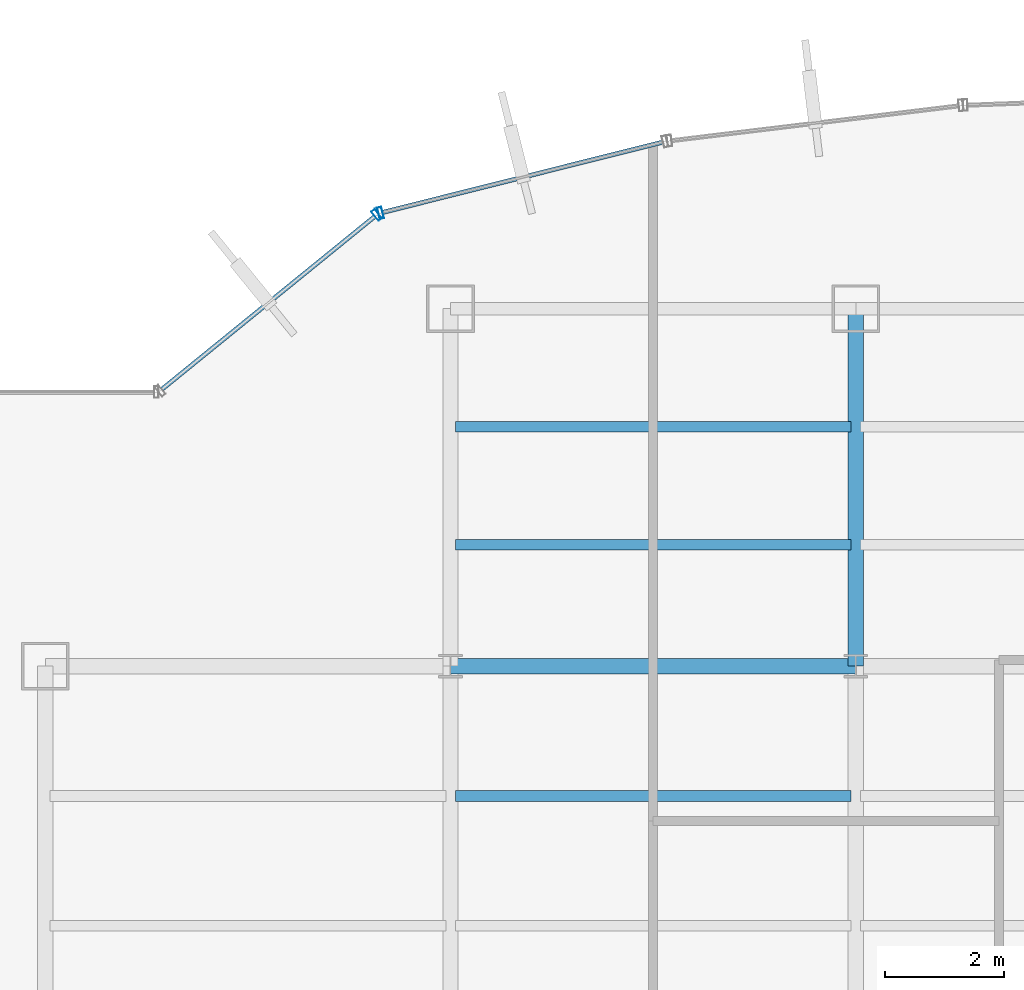
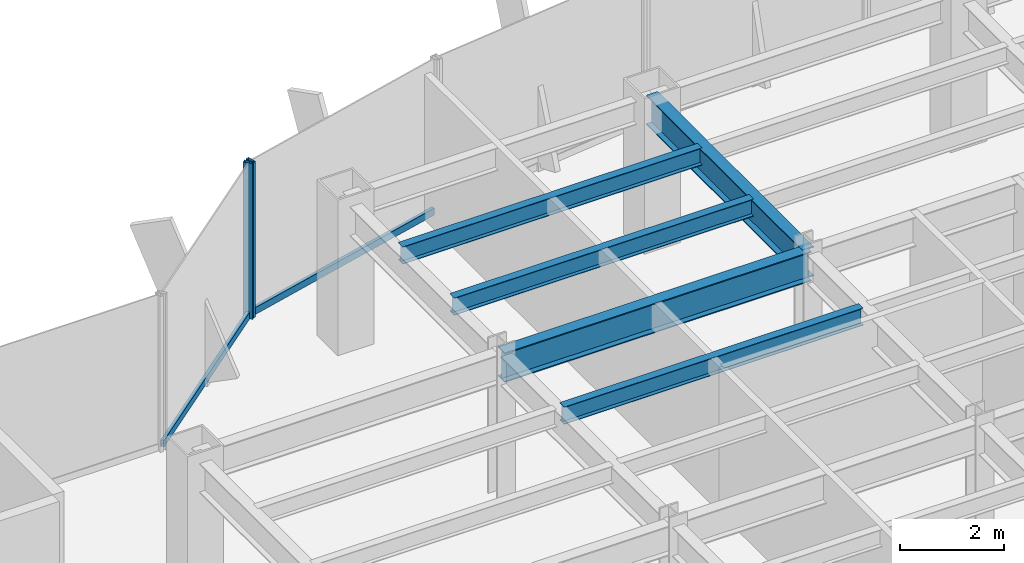
# One storey, part 14 of 26: 5 beams, 4 members, 2 elements without a shape of their own.
"""IFC4 building model written with IfcOpenShell, lengths in metres."""

from ifc_helpers import new_model, si_unit, derived_unit, direction, frame, origin, origin_2d, place, context, subcontext, project, spatial, hollow_rectangle, i_section, extrude, source, transform, mapped, material, material_profile, profile_set, type_object, element, aggregate, save


model = new_model("IFC4")

# Units and contexts
model_context = context("Model", 3, precision=1e-05, world=origin(), true_north=direction((0.0, 1.0)))
body_context = subcontext(model_context, "Body", "Model", "MODEL_VIEW")
ifc_project = project(units=[si_unit("LENGTHUNIT", "METRE"), si_unit("AREAUNIT", "SQUARE_METRE"), si_unit("VOLUMEUNIT", "CUBIC_METRE"), si_unit("PLANEANGLEUNIT", "RADIAN"), si_unit("MASSUNIT", "GRAM", prefix="KILO"), derived_unit("THERMALTRANSMITTANCEUNIT", [(si_unit("POWERUNIT", "WATT"), 1), (si_unit("LENGTHUNIT", "METRE"), -2), (si_unit("THERMODYNAMICTEMPERATUREUNIT", "KELVIN"), -1)])], contexts=[model_context])

# Site, building, storey
site_placement = place(None, origin())
site = spatial("IfcSite", under=ifc_project, at=site_placement, CompositionType="ELEMENT")
building_placement = place(site_placement, origin())
building = spatial("IfcBuilding", under=site, at=building_placement, Name="Skarnbrae Concourse Arena and Tower", CompositionType="ELEMENT")
storey_placement = place(building_placement, frame((0.0, 0.0, 95.949951171875)))
storey = spatial("IfcBuildingStorey", under=building, at=storey_placement, Name="L23", CompositionType="ELEMENT", Elevation=95.949951171875)

# Beams
ifc_material_1 = material(Name="Steel CSA G40.21 350W", Category="steel")
ifc_material_profile_1 = material_profile(ifc_material_1, i_section(OverallWidth=0.256103515625, OverallDepth=0.693115234375, WebThickness=0.014404296875, FlangeThickness=0.023681640625, at=origin_2d()), Name="W690X170")
ifc_profile_set_1 = profile_set([ifc_material_profile_1], Name="Steel CSA G40.21 350W")
beam_type_1 = type_object("IfcBeamType", Name="BM-GIRD-W690X170", PredefinedType="BEAM", material=ifc_profile_set_1)
shared_shape_1 = source(origin(), body_context, "Body", "SweptSolid", [
    extrude(i_section(OverallWidth=0.256103515625, OverallDepth=0.693115234375, WebThickness=0.014404296875, FlangeThickness=0.023681640625, at=origin_2d()), origin(), (0.0, 0.0, 1.0), 6.800048828125),
])
beam_1_placement = place(storey_placement, frame((14.39990234375, 34.39990234375, 3.053466796875), z_axis=(1.0, 0.0, 0.0), x_axis=(0.0, 1.0, 0.0)))
element("IfcBeam", 1, at=beam_1_placement, inside=storey, type_object=beam_type_1, Name="L23 Primary E-W girder Y34.4-2", PredefinedType="BEAM", context=body_context, shape_type="MappedRepresentation", body=[
    mapped(shared_shape_1, transform((0.0, 0.0, 0.0))),
])
shared_shape_2 = source(origin(), body_context, "Body", "SweptSolid", [
    extrude(i_section(OverallWidth=0.256103515625, OverallDepth=0.693115234375, WebThickness=0.014404296875, FlangeThickness=0.023681640625, at=origin_2d()), origin(), (0.0, 0.0, 1.0), 6.0),
])
beam_2_placement = place(storey_placement, frame((21.199951171875, 34.39990234375, 3.053466796875), z_axis=(0.0, 1.0, 0.0), x_axis=(-1.0, 0.0, 0.0)))
element("IfcBeam", 2, at=beam_2_placement, inside=storey, type_object=beam_type_1, Name="L23 Primary N-S girder X21.2-4", PredefinedType="BEAM", context=body_context, shape_type="MappedRepresentation", body=[
    mapped(shared_shape_2, transform((0.0, 0.0, 0.0))),
])
ifc_material_profile_2 = material_profile(ifc_material_1, i_section(OverallWidth=0.177978515625, OverallDepth=0.406982421875, WebThickness=0.0078125, FlangeThickness=0.0126953125, at=origin_2d()), Name="W410X60")
ifc_profile_set_2 = profile_set([ifc_material_profile_2], Name="Steel CSA G40.21 350W")
beam_type_2 = type_object("IfcBeamType", Name="BM-JOIST-W410X60", PredefinedType="JOIST", material=ifc_profile_set_2)
shared_shape_3 = source(origin(), body_context, "Body", "SweptSolid", [
    extrude(i_section(OverallWidth=0.177978515625, OverallDepth=0.406982421875, WebThickness=0.0078125, FlangeThickness=0.0126953125, at=origin_2d()), origin(), (0.0, 0.0, 1.0), 6.64013671875),
])
for number, where, z_axis, x_axis, name in (
    (3, (14.47998046875, 32.221923828125, 3.196533203125), (1.0, 0.0, 0.0), (0.0, 1.0, 0.0), "L23 Secondary floor joist 3.2.2"),
    (4, (14.47998046875, 36.43994140625, 3.196533203125), (1.0, 0.0, 0.0), (0.0, 1.0, 0.0), "L23 Secondary floor joist 4.1.1"),
    (5, (14.47998046875, 38.419921875, 3.196533203125), (1.0, 0.0, 0.0), (0.0, 1.0, 0.0), "L23 Secondary floor joist 4.2.1"),
):
    element("IfcBeam", number, at=place(storey_placement, frame(where, z_axis=z_axis, x_axis=x_axis)), inside=storey, type_object=beam_type_2, Name=name, PredefinedType="JOIST", context=body_context, shape_type="MappedRepresentation", body=[
        mapped(shared_shape_3, transform((0.0, 0.0, 0.0))),
    ])

# Curtain wall, member
ifc_material_2 = material(Name="Bronze anodised aluminium 6063-T6", Category="aluminium")
curtain_wall_type = type_object("IfcCurtainWallType", Name="CW-SYS-04-MIDZONE", PredefinedType="USERDEFINED", material=ifc_material_2)
curtain_wall_1_placement = place(storey_placement, origin())
curtain_wall_1 = element("IfcCurtainWall", 6, at=curtain_wall_1_placement, inside=storey, type_object=curtain_wall_type, Name="L23 Unitised curtain wall CW-L23-E14", ObjectType="UNITISED CURTAIN WALL", PredefinedType="USERDEFINED")
ifc_material_profile_3 = material_profile(ifc_material_2, hollow_rectangle(XDim=0.074951171875, YDim=0.195068359375, WallThickness=0.00439453125, at=origin_2d()), Name="ALU-MULL-75X195")
ifc_profile_set_3 = profile_set([ifc_material_profile_3], Name="Bronze anodised aluminium 6063-T6")
member_type_1 = type_object("IfcMemberType", Name="CWM-CW-04", PredefinedType="MULLION", material=ifc_profile_set_3)
shared_shape_4 = source(origin(), body_context, "Body", "SweptSolid", [
    extrude(hollow_rectangle(XDim=0.074951171875, YDim=0.195068359375, WallThickness=0.00439453125, at=origin_2d()), origin(), (0.0, 0.0, 1.0), 3.650146484375),
])
member_1_placement = place(storey_placement, frame((13.225341796875, 42.005126953125, 0.0), z_axis=(0.0, 0.0, 1.0), x_axis=(-0.969903046166, -0.243491439351, 0.0)))
member_1 = element("IfcMember", 7, at=member_1_placement, type_object=member_type_1, Name="CW-L23-E14 Mullion 2", PredefinedType="MULLION", context=body_context, shape_type="MappedRepresentation", body=[
    mapped(shared_shape_4, transform((0.0, 0.0, 0.0))),
])

# Curtain wall, members
curtain_wall_2_placement = place(storey_placement, origin())
curtain_wall_2 = element("IfcCurtainWall", 8, at=curtain_wall_2_placement, inside=storey, type_object=curtain_wall_type, Name="L23 Unitised curtain wall CW-L23-E15", ObjectType="UNITISED CURTAIN WALL", PredefinedType="USERDEFINED")
member_2_placement = place(storey_placement, frame((13.159912109375, 41.972412109375, 0.0), z_axis=(0.0, 0.0, 1.0), x_axis=(-0.776241200471, -0.630436038542, 0.0)))
member_2 = element("IfcMember", 9, at=member_2_placement, type_object=member_type_1, Name="CW-L23-E15 Mullion 1", PredefinedType="MULLION", context=body_context, shape_type="MappedRepresentation", body=[
    mapped(shared_shape_4, transform((0.0, 0.0, 0.0))),
])
ifc_material_profile_4 = material_profile(ifc_material_2, hollow_rectangle(XDim=0.074951171875, YDim=0.159912109375, WallThickness=0.00439453125, at=origin_2d()), Name="ALU-TRAN-75X160")
ifc_profile_set_4 = profile_set([ifc_material_profile_4], Name="Bronze anodised aluminium 6063-T6")
member_type_2 = type_object("IfcMemberType", Name="CWT-CW-04", PredefinedType="USERDEFINED", material=ifc_profile_set_4)
shared_shape_5 = source(origin(), body_context, "Body", "SweptSolid", [
    extrude(hollow_rectangle(XDim=0.074951171875, YDim=0.159912109375, WallThickness=0.00439453125, at=origin_2d()), origin(), (0.0, 0.0, 1.0), 4.602294921875),
])
member_3_placement = place(storey_placement, frame((13.130615234375, 41.94873046875, 0.080078125), z_axis=(-0.776251906445, -0.630422856297, 0.0), x_axis=(0.630422856297, -0.776251906445, 0.0)))
member_3 = element("IfcMember", 10, at=member_3_placement, type_object=member_type_2, Name="CW-L23-E15 Transom 1", ObjectType="TRANSOM", PredefinedType="USERDEFINED", context=body_context, shape_type="MappedRepresentation", body=[
    mapped(shared_shape_5, transform((0.0, 0.0, 0.0))),
])
aggregate(curtain_wall_2, [member_2, member_3])

# Member
shared_shape_6 = source(origin(), body_context, "Body", "SweptSolid", [
    extrude(hollow_rectangle(XDim=0.074951171875, YDim=0.159912109375, WallThickness=0.00439453125, at=origin_2d()), origin(), (0.0, 0.0, 1.0), 4.84716796875),
])
member_4_placement = place(storey_placement, frame((17.963134765625, 43.194580078125, 0.080078125), z_axis=(-0.969907992238, -0.243471736744, 0.0), x_axis=(0.243471736744, -0.969907992238, 0.0)))
member_4 = element("IfcMember", 11, at=member_4_placement, type_object=member_type_2, Name="CW-L23-E14 Transom 1", ObjectType="TRANSOM", PredefinedType="USERDEFINED", context=body_context, shape_type="MappedRepresentation", body=[
    mapped(shared_shape_6, transform((0.0, 0.0, 0.0))),
])

aggregate(curtain_wall_1, [member_1, member_4])

save(model, "model.ifc")
